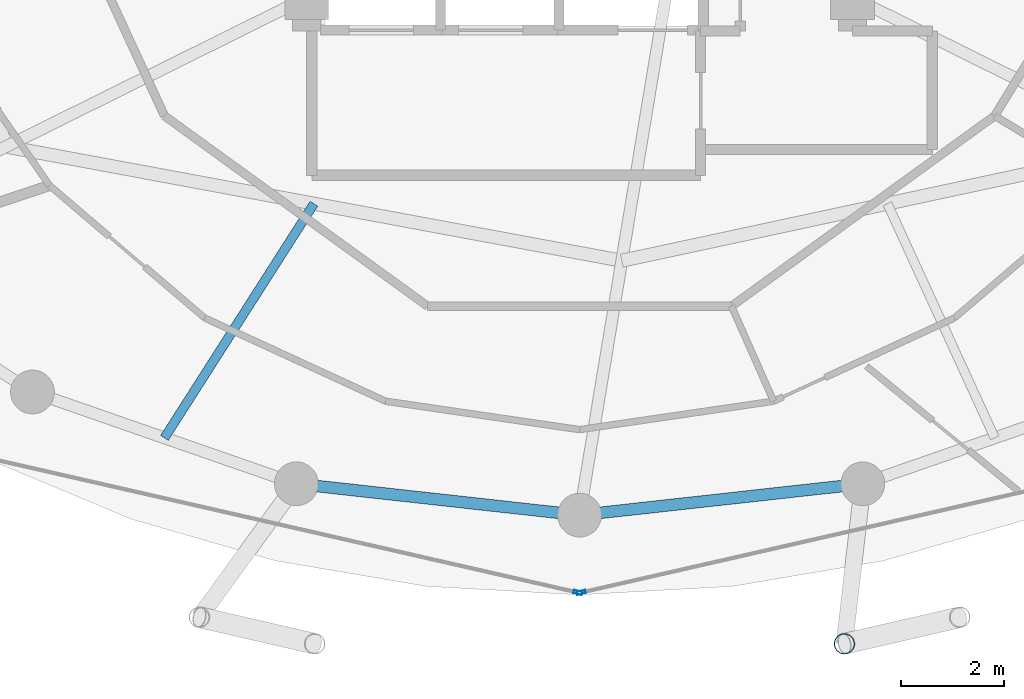
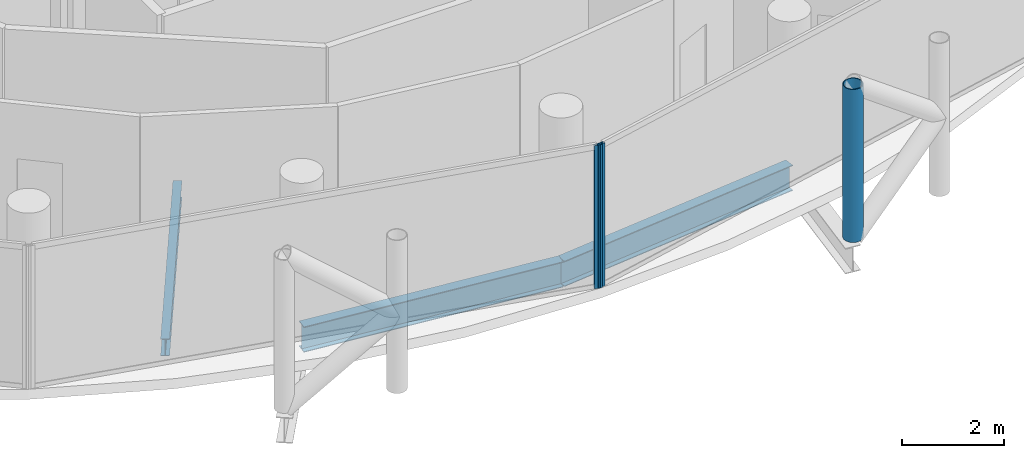
# One storey, part 5 of 27: 3 beams, 3 members, 2 elements without a shape of their own.
"""IFC4 building model written with IfcOpenShell, lengths in metres."""

from ifc_helpers import new_model, si_unit, direction, frame, origin, origin_2d, place, context, subcontext, project, spatial, hollow_rectangle, hollow_circle, i_section, extrude, material, layer, layer_set, material_profile, profile_set, type_object, element, aggregate, save


model = new_model("IFC4")

# Units and contexts
model_context = context("Model", 3, precision=1e-05, world=origin(), true_north=direction((0.0, 1.0)))
body_context = subcontext(model_context, "Body", "Model", "MODEL_VIEW")
ifc_project = project(units=[si_unit("LENGTHUNIT", "METRE"), si_unit("AREAUNIT", "SQUARE_METRE"), si_unit("VOLUMEUNIT", "CUBIC_METRE"), si_unit("PLANEANGLEUNIT", "RADIAN"), si_unit("MASSUNIT", "GRAM", prefix="KILO")], contexts=[model_context])

# Site, building, storey
site_placement = place(None, origin())
site = spatial("IfcSite", under=ifc_project, at=site_placement, CompositionType="ELEMENT")
building_placement = place(site_placement, origin())
building = spatial("IfcBuilding", under=site, at=building_placement, Name="Nuhasar Tower", CompositionType="ELEMENT")
storey_placement = place(building_placement, frame((0.0, 0.0, 237.35009765625)))
storey = spatial("IfcBuildingStorey", under=building, at=storey_placement, Name="L58", CompositionType="ELEMENT", Elevation=237.35009765625)

# Beams
ifc_material_1 = material(Name="Steel S355", Category="steel")
ifc_material_profile_1 = material_profile(ifc_material_1, i_section(OverallWidth=0.177978515625, OverallDepth=0.406005859375, WebThickness=0.0078125, FlangeThickness=0.0126953125, at=origin_2d()), Name="W16X40")
ifc_profile_set_1 = profile_set([ifc_material_profile_1], Name="Steel S355")
beam_type_1 = type_object("IfcBeamType", Name="BM-JST-W16X40", PredefinedType="JOIST", material=ifc_profile_set_1)
beam_placement = place(storey_placement, frame((33.842041015625, 14.998046875, -0.443115234375), z_axis=(-0.538168818546, -0.842837067733, 0.0), x_axis=(0.842837067733, -0.538168818546, 0.0)))
element("IfcBeam", 1, at=beam_placement, inside=storey, type_object=beam_type_1, Name="L58 Secondary Floor Joist 01", PredefinedType="JOIST", context=body_context, shape_type="SweptSolid", body=[
    extrude(i_section(OverallWidth=0.177978515625, OverallDepth=0.406005859375, WebThickness=0.0078125, FlangeThickness=0.0126953125, at=origin_2d()), origin(), (0.0, 0.0, 1.0), 5.396240234375),
])
ifc_material_profile_2 = material_profile(ifc_material_1, i_section(OverallWidth=0.22802734375, OverallDepth=0.60791015625, WebThickness=0.01123046875, FlangeThickness=0.017333984375, at=origin_2d()), Name="W24X76")
ifc_profile_set_2 = profile_set([ifc_material_profile_2], Name="Steel S355")
beam_type_2 = type_object("IfcBeamType", Name="BM-RING-W24X76", PredefinedType="SPANDREL", material=ifc_profile_set_2)
for number, where, z_axis, x_axis, name in (
    (2, (33.5, 9.55810546875, -0.544189453125), (0.993942242238, -0.109903680993, 0.0), (0.109903680993, 0.993942242238, 0.0), "L58 Perimeter Ring Spandrel 18"),
    (3, (39.0, 8.949951171875, -0.544189453125), (0.993942242238, 0.109903680993, 0.0), (-0.109903680993, 0.993942242238, 0.0), "L58 Perimeter Ring Spandrel 19"),
):
    element("IfcBeam", number, at=place(storey_placement, frame(where, z_axis=z_axis, x_axis=x_axis)), inside=storey, type_object=beam_type_2, Name=name, PredefinedType="SPANDREL", context=body_context, shape_type="SweptSolid", body=[
        extrude(i_section(OverallWidth=0.22802734375, OverallDepth=0.60791015625, WebThickness=0.01123046875, FlangeThickness=0.017333984375, at=origin_2d()), origin(), (0.0, 0.0, 1.0), 5.533447265625),
    ])

# Curtain wall, member
ifc_material_2 = material(Name="Aluminium 6063-T6", Category="aluminium")
ifc_layer = layer(ifc_material_2, 0.18994140625)
ifc_layer_set = layer_set([ifc_layer], Name="Aluminium 6063-T6")
curtain_wall_type = type_object("IfcCurtainWallType", Name="CW-Z3-RES", PredefinedType="NOTDEFINED", material=ifc_layer_set)
curtain_wall_1_placement = place(storey_placement, origin())
curtain_wall_1 = element("IfcCurtainWall", 4, at=curtain_wall_1_placement, inside=storey, type_object=curtain_wall_type, Name="L58 Unitised Curtain Wall 09", PredefinedType="NOTDEFINED")
ifc_material_profile_3 = material_profile(ifc_material_2, hollow_rectangle(XDim=0.06494140625, YDim=0.169921875, WallThickness=0.0048828125, at=origin_2d()), Name="CWM-4")
ifc_profile_set_3 = profile_set([ifc_material_profile_3], Name="Aluminium 6063-T6")
member_type_1 = type_object("IfcMemberType", Name="CW-MUL-S4", PredefinedType="MULLION", material=ifc_profile_set_3)
member_1_placement = place(storey_placement, frame((38.96826171875, 7.447265625, 0.0), z_axis=(0.0, 0.0, 1.0), x_axis=(0.222243176313, 0.974991266926, 0.0)))
member_1 = element("IfcMember", 5, at=member_1_placement, type_object=member_type_1, Name="CW-Z3 mullion 2", PredefinedType="MULLION", context=body_context, shape_type="SweptSolid", body=[
    extrude(hollow_rectangle(XDim=0.06494140625, YDim=0.169921875, WallThickness=0.0048828125, at=origin_2d()), origin(), (0.0, 0.0, 1.0), 3.409912109375),
])
aggregate(curtain_wall_1, [member_1])

curtain_wall_2_placement = place(storey_placement, origin())
curtain_wall_2 = element("IfcCurtainWall", 6, at=curtain_wall_2_placement, inside=storey, type_object=curtain_wall_type, Name="L58 Unitised Curtain Wall 10", PredefinedType="NOTDEFINED")
member_2_placement = place(storey_placement, frame((39.03173828125, 7.447265625, 0.0), z_axis=(0.0, 0.0, 1.0), x_axis=(-0.222243176313, 0.974991266926, 0.0)))
member_2 = element("IfcMember", 7, at=member_2_placement, type_object=member_type_1, Name="CW-Z3 mullion 1", PredefinedType="MULLION", context=body_context, shape_type="SweptSolid", body=[
    extrude(hollow_rectangle(XDim=0.06494140625, YDim=0.169921875, WallThickness=0.0048828125, at=origin_2d()), origin(), (0.0, 0.0, 1.0), 3.409912109375),
])
aggregate(curtain_wall_2, [member_2])

# Member
ifc_material_3 = material(Name="Steel S460", Category="steel")
ifc_material_profile_4 = material_profile(ifc_material_3, hollow_circle(Radius=0.203125, WallThickness=0.01904296875, at=origin_2d()), Name="HSS406.4X19.1")
ifc_profile_set_4 = profile_set([ifc_material_profile_4], Name="Steel S460")
member_type_2 = type_object("IfcMemberType", Name="EXO-BRONZE-406", PredefinedType="BRACE", material=ifc_profile_set_4)
member_3_placement = place(storey_placement, frame((44.14306640625, 6.450927734375, 0.0), z_axis=(0.0, 0.0, 1.0), x_axis=(1.0, 0.0, 0.0)))
element("IfcMember", 8, at=member_3_placement, inside=storey, type_object=member_type_2, Name="L58 Exoskeleton Chord Column EC-10A", PredefinedType="BRACE", context=body_context, shape_type="SweptSolid", body=[
    extrude(hollow_circle(Radius=0.203125, WallThickness=0.01904296875, at=origin_2d()), origin(), (0.0, 0.0, 1.0), 3.64990234375),
])

save(model, "model.ifc")
